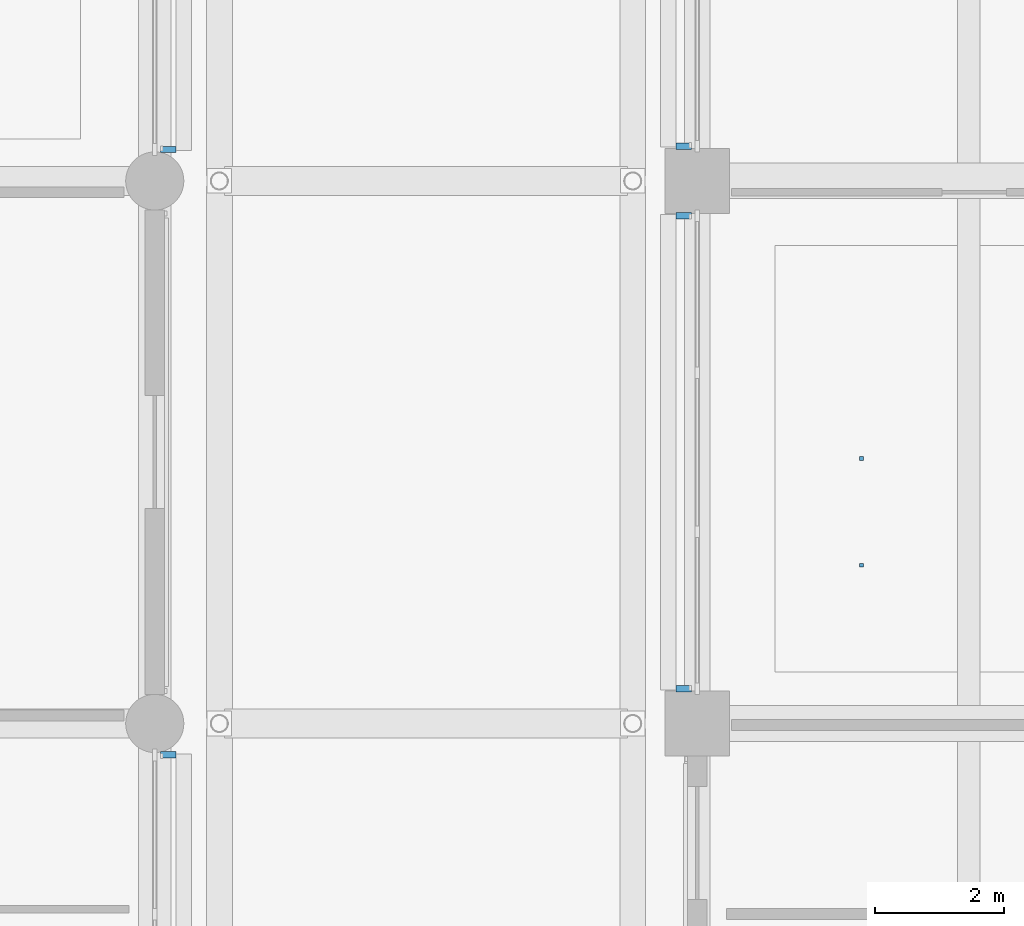
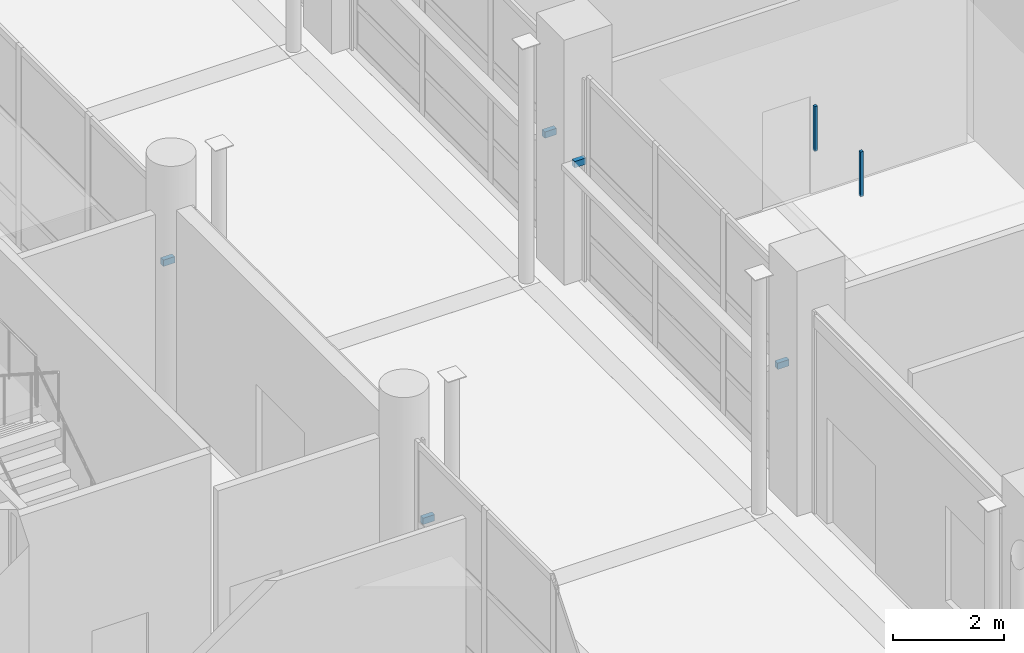
# One storey, part 76 of 140: 7 discrete accessories.
"""IFC4 building model written with IfcOpenShell, lengths in metres."""

from ifc_helpers import new_model, si_unit, direction, frame, origin, origin_2d, place, context, subcontext, project, spatial, rectangle, extrude, material, type_object, element, save


model = new_model("IFC4")

# Units and contexts
model_context = context("Model", 3, precision=1e-05, world=origin(), true_north=direction((0.0, 1.0)))
body_context = subcontext(model_context, "Body", "Model", "MODEL_VIEW")
ifc_project = project(units=[si_unit("LENGTHUNIT", "METRE"), si_unit("AREAUNIT", "SQUARE_METRE"), si_unit("VOLUMEUNIT", "CUBIC_METRE"), si_unit("PLANEANGLEUNIT", "RADIAN"), si_unit("MASSUNIT", "GRAM", prefix="KILO")], contexts=[model_context])

# Site, building, storey
site_placement = place(None, origin())
site = spatial("IfcSite", under=ifc_project, at=site_placement, CompositionType="ELEMENT")
building_placement = place(site_placement, origin())
building = spatial("IfcBuilding", under=site, at=building_placement, Name="Telukmera Botanical Conservatory", CompositionType="ELEMENT")
storey_placement = place(building_placement, origin())
storey = spatial("IfcBuildingStorey", under=building, at=storey_placement, Name="L00", CompositionType="ELEMENT", Elevation=0.0)

# Discrete accessories
ifc_material = material(Name="Steel S355", Category="steel")
discrete_accessory_type_1 = type_object("IfcDiscreteAccessoryType", Name="ACC-CEIL-HGR", PredefinedType="BRACKET", material=ifc_material)
for number, where, z_axis, x_axis, name in (
    (1, (52.94189453125, 28.449951171875, 4.2197265625), (0.0, 0.0, 1.0), (1.0, 0.0, 0.0), "L00 Suspended Ceiling Hanger Rod 069-1"),
    (2, (52.94189453125, 30.10009765625, 4.2197265625), (0.0, 0.0, 1.0), (1.0, 0.0, 0.0), "L00 Suspended Ceiling Hanger Rod 069-2"),
):
    element("IfcDiscreteAccessory", number, at=place(storey_placement, frame(where, z_axis=z_axis, x_axis=x_axis)), inside=storey, type_object=discrete_accessory_type_1, Name=name, PredefinedType="BRACKET", context=body_context, shape_type="SweptSolid", body=[
        extrude(rectangle(XDim=0.06005859375, YDim=0.06005859375, at=origin_2d()), origin(), (0.0, 0.0, 1.0), 0.985107421875),
    ])
discrete_accessory_type_2 = type_object("IfcDiscreteAccessoryType", Name="Structural Steel Facade Outrigger Fin Bracket", PredefinedType="BRACKET", material=ifc_material)
for number, where, z_axis, x_axis, name in (
    (3, (42.2099609375, 25.512939453125, 2.580078125), (0.0, 0.0, 1.0), (0.0, 1.0, 0.0), "Facade Outrigger Bracket V3:L00:E1 B"),
    (4, (42.2099609375, 34.886962890625, 2.580078125), (0.0, 0.0, 1.0), (0.0, 1.0, 0.0), "Facade Outrigger Bracket V3:L00:E3 A"),
    (5, (50.18994140625, 26.537109375, 2.580078125), (0.0, 0.0, 1.0), (0.0, 1.0, 0.0), "Facade Outrigger Bracket V4:L00:W3 A"),
    (6, (50.18994140625, 33.863037109375, 2.580078125), (0.0, 0.0, 1.0), (0.0, 1.0, 0.0), "Facade Outrigger Bracket V4:L00:W3 B"),
    (7, (50.18994140625, 34.93701171875, 2.580078125), (0.0, 0.0, 1.0), (0.0, 1.0, 0.0), "Facade Outrigger Bracket V4:L00:W4 A"),
):
    element("IfcDiscreteAccessory", number, at=place(storey_placement, frame(where, z_axis=z_axis, x_axis=x_axis)), inside=storey, type_object=discrete_accessory_type_2, Name=name, PredefinedType="BRACKET", context=body_context, shape_type="SweptSolid", body=[
        extrude(rectangle(XDim=0.10009765625, YDim=0.239990234375, at=origin_2d()), origin(), (0.0, 0.0, 1.0), 0.139892578125),
    ])

save(model, "model.ifc")
